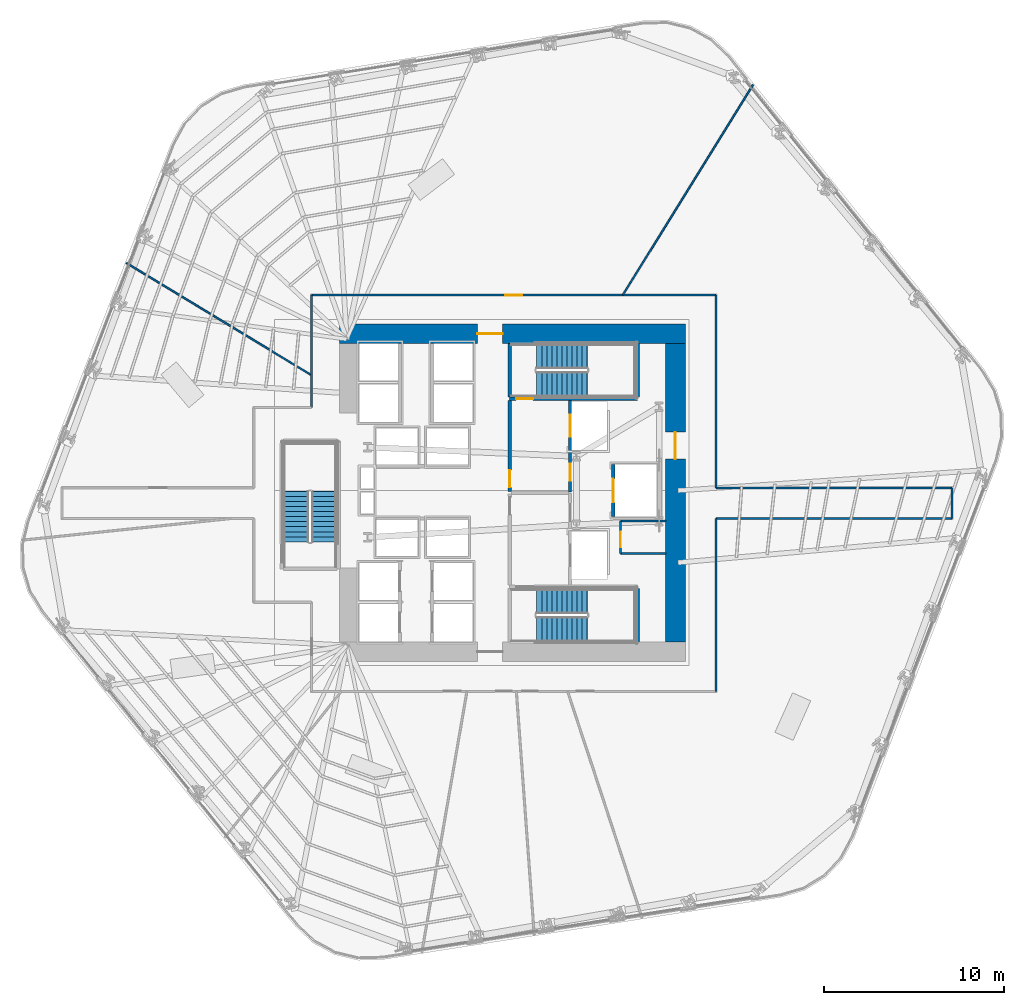
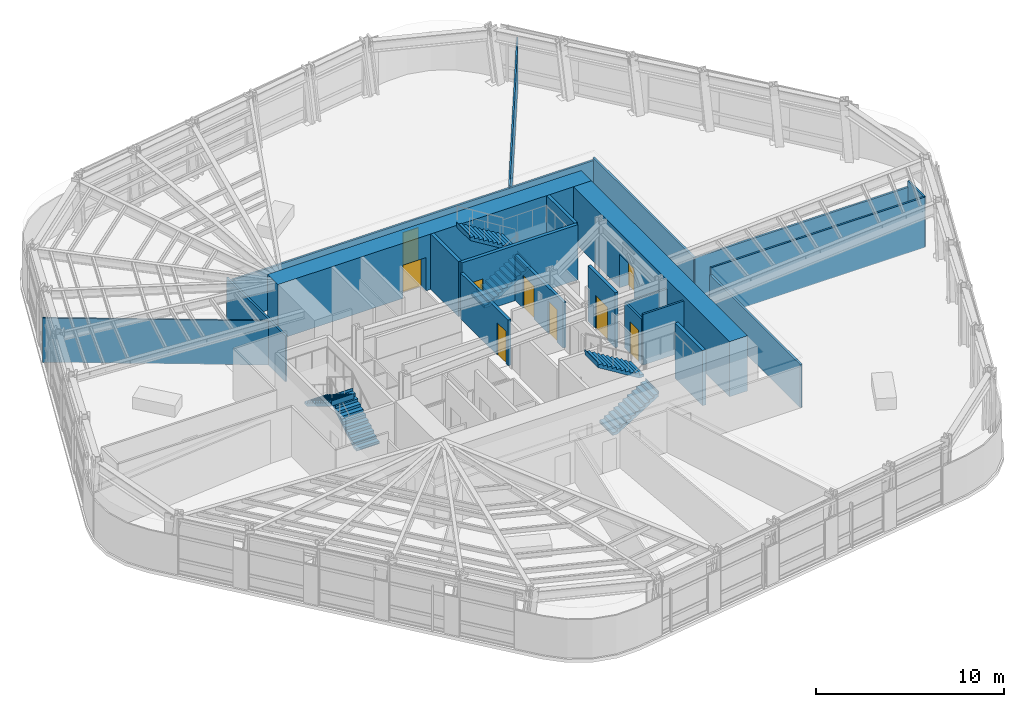
# One storey, part 9 of 16: 21 walls, 9 doors, 6 stair flights, 9 openings, 3 elements without a shape of their own.
"""IFC4 building model written with IfcOpenShell, lengths in metres."""

from ifc_helpers import new_model, si_unit, direction, frame, frame_2d, origin, place, context, subcontext, project, spatial, polyline, rectangle, outline, extrude, material, layer, layer_set, type_object, element, fill, aggregate, save


model = new_model("IFC4")

# Units and contexts
model_context = context("Model", 3, precision=1e-05, world=origin(), true_north=direction((0.0, 1.0)))
body_context = subcontext(model_context, "Body", "Model", "MODEL_VIEW")
ifc_project = project(units=[si_unit("LENGTHUNIT", "METRE"), si_unit("AREAUNIT", "SQUARE_METRE"), si_unit("VOLUMEUNIT", "CUBIC_METRE"), si_unit("PLANEANGLEUNIT", "RADIAN"), si_unit("MASSUNIT", "GRAM", prefix="KILO")], contexts=[model_context])

# Site, building, storey
site_placement = place(None, origin())
site = spatial("IfcSite", under=ifc_project, at=site_placement, CompositionType="ELEMENT")
building_placement = place(site_placement, origin())
building = spatial("IfcBuilding", under=site, at=building_placement, Name="Valkerne Bourse Tower", CompositionType="ELEMENT")
storey_placement = place(building_placement, frame((0.0, 0.0, 62.0)))
storey = spatial("IfcBuildingStorey", under=building, at=storey_placement, Name="L15", CompositionType="ELEMENT", Elevation=62.0)

# Wall, opening, door
ifc_material_1 = material(Name="Concrete C70/85", Category="concrete")
ifc_layer_1 = layer(ifc_material_1, 1.10009765625)
ifc_layer_set_1 = layer_set([ifc_layer_1], Name="Concrete C70/85")
wall_type_1 = type_object("IfcWallType", Name="W-CORE-1100", PredefinedType="SHEAR", material=ifc_layer_set_1)
wall_1_placement = place(storey_placement, frame((37.199951171875, 35.699951171875, 0.0), z_axis=(0.0, 0.0, 1.0), x_axis=(1.0, 0.0, 0.0)))
wall_1 = element("IfcWall", 1, at=wall_1_placement, inside=storey, type_object=wall_type_1, Name="L15 Core Shear Wall NORTH", PredefinedType="SHEAR", context=body_context, shape_type="SweptSolid", body=[
    extrude(rectangle(XDim=19.199951171875, YDim=1.10009765625, at=frame_2d((9.60009765625, 0.0))), origin(), (0.0, 0.0, 1.0), 3.580078125),
])
opening_1_placement = place(wall_1_placement, frame((7.64990234375, 0.0, 0.0)))
opening_1 = element("IfcOpeningElement", 2, at=opening_1_placement, cuts=wall_1, Name="Opening D-PL-1400", PredefinedType="OPENING", context=body_context, shape_type="SweptSolid", body=[
    extrude(rectangle(XDim=1.39990234375, YDim=2.14990234375, at=frame_2d((0.699951171875, 1.074951171875))), frame((0.0, 0.56005859375, 0.0), z_axis=(0.0, -1.0, 0.0), x_axis=(1.0, 0.0, 0.0)), (0.0, 0.0, 1.0), 1.1201171875),
])
ifc_material_2 = material(Name="Galvanised Painted Steel", Category="steel")
door_type_1 = type_object("IfcDoorType", Name="DR-PLT-1400", OperationType="DOUBLE_DOOR_SINGLE_SWING", PredefinedType="DOOR", material=ifc_material_2)
door_1_placement = place(opening_1_placement, origin())
door_1 = element("IfcDoor", 3, at=door_1_placement, inside=storey, type_object=door_type_1, Name="L15 North Passenger Lift Hall Fire Door", OperationType="DOUBLE_DOOR_SINGLE_SWING", OverallHeight=2.14990234375, OverallWidth=1.39990234375, PredefinedType="DOOR", context=body_context, shape_type="SweptSolid", body=[
    extrude(rectangle(XDim=1.39990234375, YDim=2.14990234375, at=frame_2d((0.699951171875, 1.074951171875))), frame((0.0, 0.02490234375, 0.0), z_axis=(0.0, -1.0, 0.0), x_axis=(1.0, 0.0, 0.0)), (0.0, 0.0, 1.0), 0.050048828125),
])
fill(opening_1, door_1)

wall_2_placement = place(storey_placement, frame((55.85009765625, 18.60009765625, 0.0), z_axis=(0.0, 0.0, 1.0), x_axis=(0.0, 1.0, 0.0)))
wall_2 = element("IfcWall", 4, at=wall_2_placement, inside=storey, type_object=wall_type_1, Name="L15 Core Shear Wall EAST", PredefinedType="SHEAR", context=body_context, shape_type="SweptSolid", body=[
    extrude(rectangle(XDim=16.5498046875, YDim=1.10009765625, at=frame_2d((8.27490234375, 0.0))), origin(), (0.0, 0.0, 1.0), 3.580078125),
])
opening_2_placement = place(wall_2_placement, frame((10.14990234375, 0.0, 0.0)))
opening_2 = element("IfcOpeningElement", 5, at=opening_2_placement, cuts=wall_2, Name="Opening D-CR-1500", PredefinedType="OPENING", context=body_context, shape_type="SweptSolid", body=[
    extrude(rectangle(XDim=1.5, YDim=2.14990234375, at=frame_2d((0.75, 1.074951171875))), frame((0.0, 0.56005859375, 0.0), z_axis=(0.0, -1.0, 0.0), x_axis=(1.0, 0.0, 0.0)), (0.0, 0.0, 1.0), 1.1201171875),
])
door_type_2 = type_object("IfcDoorType", Name="DR-CORR-1500", OperationType="DOUBLE_DOOR_SINGLE_SWING", PredefinedType="DOOR", material=ifc_material_2)
door_2_placement = place(opening_2_placement, origin())
door_2 = element("IfcDoor", 6, at=door_2_placement, inside=storey, type_object=door_type_2, Name="L15 East Core Service Lobby Fire Door", OperationType="DOUBLE_DOOR_SINGLE_SWING", OverallHeight=2.14990234375, OverallWidth=1.5, PredefinedType="DOOR", context=body_context, shape_type="SweptSolid", body=[
    extrude(rectangle(XDim=1.5, YDim=2.14990234375, at=frame_2d((0.75, 1.074951171875))), frame((0.0, 0.02490234375, 0.0), z_axis=(0.0, -1.0, 0.0), x_axis=(1.0, 0.0, 0.0)), (0.0, 0.0, 1.0), 0.050048828125),
])
fill(opening_2, door_2)

ifc_material_3 = material(Name="Gypsum Board Steel-Stud Partition", Category="steel")
ifc_layer_2 = layer(ifc_material_3, 0.117919921875)
ifc_layer_set_2 = layer_set([ifc_layer_2], Name="Gypsum Board Steel-Stud Partition")
wall_type_2 = type_object("IfcWallType", Name="W-CORR-140", PredefinedType="PARTITIONING", material=ifc_layer_set_2)
wall_3_placement = place(storey_placement, frame((52.800048828125, 23.5, 0.0), z_axis=(0.0, 0.0, 1.0), x_axis=(0.0, 1.0, 0.0)))
wall_3 = element("IfcWall", 7, at=wall_3_placement, inside=storey, type_object=wall_type_2, Name="L15 Core SE North-Bay West Wall", PredefinedType="PARTITIONING", context=body_context, shape_type="SweptSolid", body=[
    extrude(rectangle(XDim=1.800048828125, YDim=0.117919921875, at=frame_2d((0.89990234375, 0.0))), origin(), (0.0, 0.0, 1.0), 2.957763671875),
])
opening_3_placement = place(wall_3_placement, frame((0.35009765625, 0.0, 0.0)))
opening_3 = element("IfcOpeningElement", 8, at=opening_3_placement, cuts=wall_3, Name="Opening D-WC-900", PredefinedType="OPENING", context=body_context, shape_type="SweptSolid", body=[
    extrude(rectangle(XDim=0.860107421875, YDim=2.050048828125, at=frame_2d((0.43017578125, 1.02490234375))), frame((0.0, 0.06884765625, 0.0), z_axis=(0.0, -1.0, 0.0), x_axis=(1.0, 0.0, 0.0)), (0.0, 0.0, 1.0), 0.137939453125),
])
ifc_material_4 = material(Name="Architectural White Oak Timber", Category="wood")
door_type_3 = type_object("IfcDoorType", Name="DR-WC-900", OperationType="NOTDEFINED", PredefinedType="DOOR", material=ifc_material_4)
door_3_placement = place(opening_3_placement, origin())
door_3 = element("IfcDoor", 9, at=door_3_placement, inside=storey, type_object=door_type_3, Name="L15 Telecom Closet Door", OperationType="SINGLE_SWING_RIGHT", OverallHeight=2.050048828125, OverallWidth=0.860107421875, PredefinedType="DOOR", context=body_context, shape_type="SweptSolid", body=[
    extrude(rectangle(XDim=0.860107421875, YDim=2.050048828125, at=frame_2d((0.43017578125, 1.02490234375))), frame((0.0, 0.02490234375, 0.0), z_axis=(0.0, -1.0, 0.0), x_axis=(1.0, 0.0, 0.0)), (0.0, 0.0, 1.0), 0.050048828125),
])
fill(opening_3, door_3)

# Walls
wall_4_placement = place(storey_placement, frame((52.800048828125, 23.5, 0.0), z_axis=(0.0, 0.0, 1.0), x_axis=(1.0, 0.0, 0.0)))
element("IfcWall", 10, at=wall_4_placement, inside=storey, type_object=wall_type_2, Name="L15 Core SE North-Bay South Wall", PredefinedType="PARTITIONING", context=body_context, shape_type="SweptSolid", body=[
    extrude(rectangle(XDim=2.52001953125, YDim=0.117919921875, at=frame_2d((1.260009765625, 0.0))), origin(), (0.0, 0.0, 1.0), 3.280029296875),
])
wall_5_placement = place(storey_placement, frame((52.800048828125, 25.300048828125, 0.0), z_axis=(0.0, 0.0, 1.0), x_axis=(1.0, 0.0, 0.0)))
element("IfcWall", 11, at=wall_5_placement, inside=storey, type_object=wall_type_2, Name="L15 Core SE North-Bay North Wall", PredefinedType="PARTITIONING", context=body_context, shape_type="SweptSolid", body=[
    extrude(rectangle(XDim=2.52001953125, YDim=0.117919921875, at=frame_2d((1.260009765625, 0.0))), origin(), (0.0, 0.0, 1.0), 2.957763671875),
])
wall_6_placement = place(storey_placement, frame((58.10009765625, 27.14990234375, 0.0), z_axis=(0.0, 0.0, 1.0), x_axis=(1.0, 0.0, 0.0)))
element("IfcWall", 12, at=wall_6_placement, inside=storey, type_object=wall_type_2, Name="L15 Corridor Enclosure Wall", PredefinedType="PARTITIONING", context=body_context, shape_type="SweptSolid", body=[
    extrude(rectangle(XDim=13.099853515625, YDim=0.117919921875, at=frame_2d((6.5498046875, 0.0))), origin(), (0.0, 0.0, 1.0), 2.876708984375),
])
wall_7_placement = place(storey_placement, frame((71.199951171875, 27.14990234375, 0.0), z_axis=(0.0, 0.0, 1.0), x_axis=(0.0, -1.0, 0.0)))
element("IfcWall", 13, at=wall_7_placement, inside=storey, type_object=wall_type_2, Name="L15 Corridor Enclosure Wall", PredefinedType="PARTITIONING", context=body_context, shape_type="SweptSolid", body=[
    extrude(rectangle(XDim=1.699951171875, YDim=0.117919921875, at=frame_2d((0.85009765625, 0.0))), origin(), (0.0, 0.0, 1.0), 3.260009765625),
])
wall_8_placement = place(storey_placement, frame((71.199951171875, 25.449951171875, 0.0), z_axis=(0.0, 0.0, 1.0), x_axis=(-1.0, 0.0, 0.0)))
element("IfcWall", 14, at=wall_8_placement, inside=storey, type_object=wall_type_2, Name="L15 Corridor Enclosure Wall", PredefinedType="PARTITIONING", context=body_context, shape_type="SweptSolid", body=[
    extrude(rectangle(XDim=13.099853515625, YDim=0.117919921875, at=frame_2d((6.5498046875, 0.0))), origin(), (0.0, 0.0, 1.0), 3.260009765625),
])
wall_9_placement = place(storey_placement, frame((58.10009765625, 25.449951171875, 0.0), z_axis=(0.0, 0.0, 1.0), x_axis=(0.0, -1.0, 0.0)))
element("IfcWall", 15, at=wall_9_placement, inside=storey, type_object=wall_type_2, Name="L15 Corridor Enclosure Wall", PredefinedType="PARTITIONING", context=body_context, shape_type="SweptSolid", body=[
    extrude(rectangle(XDim=9.599853515625, YDim=0.117919921875, at=frame_2d((4.7998046875, 0.0))), origin(), (0.0, 0.0, 1.0), 2.80029296875),
])
wall_10_placement = place(storey_placement, frame((35.64990234375, 31.60009765625, 0.0), z_axis=(0.0, 0.0, 1.0), x_axis=(0.0, 1.0, 0.0)))
element("IfcWall", 16, at=wall_10_placement, inside=storey, type_object=wall_type_2, Name="L15 Corridor Enclosure Wall", PredefinedType="PARTITIONING", context=body_context, shape_type="SweptSolid", body=[
    extrude(rectangle(XDim=6.25, YDim=0.117919921875, at=frame_2d((3.125, 0.0))), origin(), (0.0, 0.0, 1.0), 2.962890625),
])

# Wall, opening, door
wall_11_placement = place(storey_placement, frame((35.64990234375, 37.85009765625, 0.0), z_axis=(0.0, 0.0, 1.0), x_axis=(1.0, 0.0, 0.0)))
wall_11 = element("IfcWall", 17, at=wall_11_placement, inside=storey, type_object=wall_type_2, Name="L15 Corridor Enclosure Wall", PredefinedType="PARTITIONING", context=body_context, shape_type="SweptSolid", body=[
    extrude(rectangle(XDim=22.4501953125, YDim=0.117919921875, at=frame_2d((11.22509765625, 0.0))), origin(), (0.0, 0.0, 1.0), 2.711669921875),
])
opening_4_placement = place(wall_11_placement, frame((10.75, 0.0, 0.0)))
opening_4 = element("IfcOpeningElement", 18, at=opening_4_placement, cuts=wall_11, Name="Opening D-OF-950", PredefinedType="OPENING", context=body_context, shape_type="SweptSolid", body=[
    extrude(rectangle(XDim=0.949951171875, YDim=2.10009765625, at=frame_2d((0.47509765625, 1.050048828125))), frame((0.0, 0.06884765625, 0.0), z_axis=(0.0, -1.0, 0.0), x_axis=(1.0, 0.0, 0.0)), (0.0, 0.0, 1.0), 0.137939453125),
])
door_type_4 = type_object("IfcDoorType", Name="DR-OFF-950", OperationType="NOTDEFINED", PredefinedType="DOOR", material=ifc_material_4)
door_4_placement = place(opening_4_placement, origin())
door_4 = element("IfcDoor", 19, at=door_4_placement, inside=storey, type_object=door_type_4, Name="L15 L15 VIP Client Concierge Reception 6 Door", OperationType="SINGLE_SWING_LEFT", OverallHeight=2.10009765625, OverallWidth=0.949951171875, PredefinedType="DOOR", context=body_context, shape_type="SweptSolid", body=[
    extrude(rectangle(XDim=0.949951171875, YDim=2.10009765625, at=frame_2d((0.47509765625, 1.050048828125))), frame((0.0, 0.02490234375, 0.0), z_axis=(0.0, -1.0, 0.0), x_axis=(1.0, 0.0, 0.0)), (0.0, 0.0, 1.0), 0.050048828125),
])
fill(opening_4, door_4)

# Wall
wall_12_placement = place(storey_placement, frame((58.10009765625, 37.85009765625, 0.0), z_axis=(0.0, 0.0, 1.0), x_axis=(0.0, -1.0, 0.0)))
element("IfcWall", 20, at=wall_12_placement, inside=storey, type_object=wall_type_2, Name="L15 Corridor Enclosure Wall", PredefinedType="PARTITIONING", context=body_context, shape_type="SweptSolid", body=[
    extrude(rectangle(XDim=10.7001953125, YDim=0.117919921875, at=frame_2d((5.35009765625, 0.0))), origin(), (0.0, 0.0, 1.0), 2.876708984375),
])

# Wall, opening, door
ifc_material_5 = material(Name="Gypsum Fire-Rated Shaftwall", Category="gypsum")
ifc_layer_3 = layer(ifc_material_5, 0.179931640625)
ifc_layer_set_3 = layer_set([ifc_layer_3], Name="Gypsum Fire-Rated Shaftwall")
wall_type_3 = type_object("IfcWallType", Name="W-FSAE-180", PredefinedType="PARTITIONING", material=ifc_layer_set_3)
wall_13_placement = place(storey_placement, frame((46.64990234375, 26.9599609375, 0.0), z_axis=(0.0, 0.0, 1.0), x_axis=(0.0, 1.0, 0.0)))
wall_13 = element("IfcWall", 21, at=wall_13_placement, inside=storey, type_object=wall_type_3, Name="L15 FSAE-2 Lobby West Fire Wall", PredefinedType="PARTITIONING", context=body_context, shape_type="SweptSolid", body=[
    extrude(rectangle(XDim=5.0400390625, YDim=0.179931640625, at=frame_2d((2.52001953125, 0.0))), origin(), (0.0, 0.0, 1.0), 2.957763671875),
])
opening_5_placement = place(wall_13_placement, frame((0.219970703125, 0.0, 0.0)))
opening_5 = element("IfcOpeningElement", 22, at=opening_5_placement, cuts=wall_13, Name="Opening D-FS-950", PredefinedType="OPENING", context=body_context, shape_type="SweptSolid", body=[
    extrude(rectangle(XDim=0.949951171875, YDim=2.10009765625, at=frame_2d((0.47509765625, 1.050048828125))), frame((0.0, 0.099853515625, 0.0), z_axis=(0.0, -1.0, 0.0), x_axis=(1.0, 0.0, 0.0)), (0.0, 0.0, 1.0), 0.199951171875),
])
door_type_5 = type_object("IfcDoorType", Name="DR-FSAE-950", OperationType="NOTDEFINED", PredefinedType="DOOR", material=ifc_material_2)
door_5_placement = place(opening_5_placement, origin())
door_5 = element("IfcDoor", 23, at=door_5_placement, inside=storey, type_object=door_type_5, Name="L15 FSAE-2 Hall Link Fire Door", OperationType="SINGLE_SWING_RIGHT", OverallHeight=2.10009765625, OverallWidth=0.949951171875, PredefinedType="DOOR", context=body_context, shape_type="SweptSolid", body=[
    extrude(rectangle(XDim=0.949951171875, YDim=2.10009765625, at=frame_2d((0.47509765625, 1.050048828125))), frame((0.0, 0.02490234375, 0.0), z_axis=(0.0, -1.0, 0.0), x_axis=(1.0, 0.0, 0.0)), (0.0, 0.0, 1.0), 0.050048828125),
])
fill(opening_5, door_5)

# Wall, openings, doors
wall_14_placement = place(storey_placement, frame((50.0, 26.919921875, 0.0), z_axis=(0.0, 0.0, 1.0), x_axis=(0.0, 1.0, 0.0)))
wall_14 = element("IfcWall", 24, at=wall_14_placement, inside=storey, type_object=wall_type_3, Name="L15 FSAE-2 Lobby & Shaft Front Wall", PredefinedType="PARTITIONING", context=body_context, shape_type="SweptSolid", body=[
    extrude(rectangle(XDim=5.080078125, YDim=0.179931640625, at=frame_2d((2.5400390625, 0.0))), origin(), (0.0, 0.0, 1.0), 2.957763671875),
])
opening_6_placement = place(wall_14_placement, frame((3.080078125, 0.0, 0.0)))
opening_6 = element("IfcOpeningElement", 25, at=opening_6_placement, cuts=wall_14, Name="Opening LD-1200", PredefinedType="OPENING", context=body_context, shape_type="SweptSolid", body=[
    extrude(rectangle(XDim=1.199951171875, YDim=2.14990234375, at=frame_2d((0.60009765625, 1.074951171875))), frame((0.0, 0.099853515625, 0.0), z_axis=(0.0, -1.0, 0.0), x_axis=(1.0, 0.0, 0.0)), (0.0, 0.0, 1.0), 0.199951171875),
])
opening_7_placement = place(wall_14_placement, frame((0.6298828125, 0.0, 0.0)))
opening_7 = element("IfcOpeningElement", 26, at=opening_7_placement, cuts=wall_14, Name="Opening D-FS-950", PredefinedType="OPENING", context=body_context, shape_type="SweptSolid", body=[
    extrude(rectangle(XDim=0.949951171875, YDim=2.10009765625, at=frame_2d((0.47509765625, 1.050048828125))), frame((0.0, 0.099853515625, 0.0), z_axis=(0.0, -1.0, 0.0), x_axis=(1.0, 0.0, 0.0)), (0.0, 0.0, 1.0), 0.199951171875),
])
door_6_placement = place(opening_7_placement, origin())
door_6 = element("IfcDoor", 27, at=door_6_placement, inside=storey, type_object=door_type_5, Name="L15 FSAE-2 Lobby Corridor Fire Door", OperationType="SINGLE_SWING_RIGHT", OverallHeight=2.10009765625, OverallWidth=0.949951171875, PredefinedType="DOOR", context=body_context, shape_type="SweptSolid", body=[
    extrude(rectangle(XDim=0.949951171875, YDim=2.10009765625, at=frame_2d((0.47509765625, 1.050048828125))), frame((0.0, 0.02490234375, 0.0), z_axis=(0.0, -1.0, 0.0), x_axis=(1.0, 0.0, 0.0)), (0.0, 0.0, 1.0), 0.050048828125),
])
fill(opening_7, door_6)
ifc_material_6 = material(Name="Stainless Steel AISI 316", Category="steel")
door_type_6 = type_object("IfcDoorType", Name="DR-LIFT-1200", OperationType="DOUBLE_DOOR_SLIDING", PredefinedType="DOOR", material=ifc_material_6)
door_7_placement = place(opening_6_placement, origin())
door_7 = element("IfcDoor", 28, at=door_7_placement, inside=storey, type_object=door_type_6, Name="L15 FSAE-2 Firefighting Lift Landing Door", OperationType="DOUBLE_DOOR_SLIDING", OverallHeight=2.14990234375, OverallWidth=1.199951171875, PredefinedType="DOOR", context=body_context, shape_type="SweptSolid", body=[
    extrude(rectangle(XDim=1.199951171875, YDim=2.14990234375, at=frame_2d((0.60009765625, 1.074951171875))), frame((0.0, 0.02490234375, 0.0), z_axis=(0.0, -1.0, 0.0), x_axis=(1.0, 0.0, 0.0)), (0.0, 0.0, 1.0), 0.050048828125),
])
fill(opening_6, door_7)

# Wall, opening, door
ifc_material_7 = material(Name="CMU Blockwork Masonry 200mm", Category="masonry")
ifc_layer_4 = layer(ifc_material_7, 0.179931640625)
ifc_layer_set_4 = layer_set([ifc_layer_4], Name="CMU Blockwork Masonry 200mm")
wall_type_4 = type_object("IfcWallType", Name="W-LFT-180", PredefinedType="SOLIDWALL", material=ifc_layer_set_4)
wall_15_placement = place(storey_placement, frame((52.39990234375, 25.550048828125, 0.0), z_axis=(0.0, 0.0, 1.0), x_axis=(0.0, 1.0, 0.0)))
wall_15 = element("IfcWall", 29, at=wall_15_placement, inside=storey, type_object=wall_type_4, Name="L15 Service Lift SV-1 Front Wall", PredefinedType="SOLIDWALL", context=body_context, shape_type="SweptSolid", body=[
    extrude(rectangle(XDim=2.89990234375, YDim=0.179931640625, at=frame_2d((1.449951171875, 0.0))), origin(), (0.0, 0.0, 1.0), 3.580078125),
])
opening_8_placement = place(wall_15_placement, frame((0.800048828125, 0.0, 0.0)))
opening_8 = element("IfcOpeningElement", 30, at=opening_8_placement, cuts=wall_15, Name="Opening LD-1300", PredefinedType="OPENING", context=body_context, shape_type="SweptSolid", body=[
    extrude(rectangle(XDim=1.300048828125, YDim=2.14990234375, at=frame_2d((0.64990234375, 1.074951171875))), frame((0.0, 0.099853515625, 0.0), z_axis=(0.0, -1.0, 0.0), x_axis=(1.0, 0.0, 0.0)), (0.0, 0.0, 1.0), 0.199951171875),
])
door_type_7 = type_object("IfcDoorType", Name="DR-LIFT-1300", OperationType="DOUBLE_DOOR_SLIDING", PredefinedType="DOOR", material=ifc_material_6)
door_8_placement = place(opening_8_placement, origin())
door_8 = element("IfcDoor", 31, at=door_8_placement, inside=storey, type_object=door_type_7, Name="L15 Service Lift SV-1 Landing Door", OperationType="DOUBLE_DOOR_SLIDING", OverallHeight=2.14990234375, OverallWidth=1.300048828125, PredefinedType="DOOR", context=body_context, shape_type="SweptSolid", body=[
    extrude(rectangle(XDim=1.300048828125, YDim=2.14990234375, at=frame_2d((0.64990234375, 1.074951171875))), frame((0.0, 0.02490234375, 0.0), z_axis=(0.0, -1.0, 0.0), x_axis=(1.0, 0.0, 0.0)), (0.0, 0.0, 1.0), 0.050048828125),
])
fill(opening_8, door_8)

# Walls
ifc_layer_5 = layer(ifc_material_3, 0.092041015625)
ifc_layer_set_5 = layer_set([ifc_layer_5], Name="Gypsum Board Steel-Stud Partition")
wall_type_5 = type_object("IfcWallType", Name="W-PART-115", PredefinedType="PARTITIONING", material=ifc_layer_set_5)
wall_16_placement = place(storey_placement, frame((52.9267578125, 37.85498046875, 0.0), z_axis=(0.0, 0.0, 1.0), x_axis=(0.526744994886, 0.850023358716, 0.0)))
element("IfcWall", 32, at=wall_16_placement, inside=storey, type_object=wall_type_5, Name="L15 Suite Partition P04", PredefinedType="PARTITIONING", context=body_context, shape_type="SweptSolid", body=[
    extrude(rectangle(XDim=13.734130859375, YDim=0.092041015625, at=frame_2d((6.8671875, 0.0))), origin(), (0.0, 0.0, 1.0), 2.864013671875),
])
wall_17_placement = place(storey_placement, frame((35.64501953125, 33.402587890625, 0.0), z_axis=(0.0, 0.0, 1.0), x_axis=(-0.854999172587, 0.518629361756, 0.0)))
element("IfcWall", 33, at=wall_17_placement, inside=storey, type_object=wall_type_5, Name="L15 Suite Partition P05", PredefinedType="PARTITIONING", context=body_context, shape_type="SweptSolid", body=[
    extrude(rectangle(XDim=12.020751953125, YDim=0.092041015625, at=frame_2d((6.01025390625, 0.0))), origin(), (0.0, 0.0, 1.0), 2.864013671875),
])
ifc_material_8 = material(Name="Concrete C40/50", Category="concrete")
ifc_layer_6 = layer(ifc_material_8, 0.199951171875)
ifc_layer_set_6 = layer_set([ifc_layer_6], Name="Concrete C40/50")
wall_type_6 = type_object("IfcWallType", Name="W-SHF-200", PredefinedType="SHEAR", material=ifc_layer_set_6)
wall_18_placement = place(storey_placement, frame((53.75, 18.60009765625, 0.0), z_axis=(0.0, 0.0, 1.0), x_axis=(0.0, 1.0, 0.0)))
element("IfcWall", 34, at=wall_18_placement, inside=storey, type_object=wall_type_6, Name="L15 Exit Stair ST-1 Structural Shaft Wall East", PredefinedType="SHEAR", context=body_context, shape_type="SweptSolid", body=[
    extrude(rectangle(XDim=2.949951171875, YDim=0.199951171875, at=frame_2d((1.47509765625, 0.0))), origin(), (0.0, 0.0, 1.0), 3.580078125),
])

# Wall, opening, door
wall_19_placement = place(storey_placement, frame((46.64990234375, 32.10009765625, 0.0), z_axis=(0.0, 0.0, 1.0), x_axis=(1.0, 0.0, 0.0)))
wall_19 = element("IfcWall", 35, at=wall_19_placement, inside=storey, type_object=wall_type_6, Name="L15 Exit Stair ST-2 Structural Shaft Wall South", PredefinedType="SHEAR", context=body_context, shape_type="SweptSolid", body=[
    extrude(rectangle(XDim=7.10009765625, YDim=0.199951171875, at=frame_2d((3.550048828125, 0.0))), origin(), (0.0, 0.0, 1.0), 3.580078125),
])
opening_9_placement = place(wall_19_placement, frame((0.35009765625, 0.0, 0.0)))
opening_9 = element("IfcOpeningElement", 36, at=opening_9_placement, cuts=wall_19, Name="Opening D-ST-950", PredefinedType="OPENING", context=body_context, shape_type="SweptSolid", body=[
    extrude(rectangle(XDim=0.949951171875, YDim=2.10009765625, at=frame_2d((0.47509765625, 1.050048828125))), frame((0.0, 0.10986328125, 0.0), z_axis=(0.0, -1.0, 0.0), x_axis=(1.0, 0.0, 0.0)), (0.0, 0.0, 1.0), 0.219970703125),
])
door_type_8 = type_object("IfcDoorType", Name="DR-STAIR-950", OperationType="NOTDEFINED", PredefinedType="DOOR", material=ifc_material_2)
door_9_placement = place(opening_9_placement, origin())
door_9 = element("IfcDoor", 37, at=door_9_placement, inside=storey, type_object=door_type_8, Name="L15 Exit Stair ST-2 Door", OperationType="SINGLE_SWING_RIGHT", OverallHeight=2.10009765625, OverallWidth=0.949951171875, PredefinedType="DOOR", context=body_context, shape_type="SweptSolid", body=[
    extrude(rectangle(XDim=0.949951171875, YDim=2.10009765625, at=frame_2d((0.47509765625, 1.050048828125))), frame((0.0, 0.02490234375, 0.0), z_axis=(0.0, -1.0, 0.0), x_axis=(1.0, 0.0, 0.0)), (0.0, 0.0, 1.0), 0.050048828125),
])
fill(opening_9, door_9)

# Walls
for number, where, z_axis, x_axis, name in (
    (38, (46.64990234375, 32.199951171875, 0.0), (0.0, 0.0, 1.0), (0.0, 1.0, 0.0), "L15 Exit Stair ST-2 Structural Shaft Wall West"),
    (39, (53.75, 32.199951171875, 0.0), (0.0, 0.0, 1.0), (0.0, 1.0, 0.0), "L15 Exit Stair ST-2 Structural Shaft Wall East"),
):
    element("IfcWall", number, at=place(storey_placement, frame(where, z_axis=z_axis, x_axis=x_axis)), inside=storey, type_object=wall_type_6, Name=name, PredefinedType="SHEAR", context=body_context, shape_type="SweptSolid", body=[
        extrude(rectangle(XDim=2.949951171875, YDim=0.199951171875, at=frame_2d((1.47509765625, 0.0))), origin(), (0.0, 0.0, 1.0), 3.580078125),
    ])

# Stair, stair flights
stair_type = type_object("IfcStairType", Name="ST-CORE-1400", PredefinedType="HALF_TURN_STAIR", material=ifc_material_8)
stair_1_placement = place(storey_placement, origin())
stair_1 = element("IfcStair", 40, at=stair_1_placement, inside=storey, type_object=stair_type, Name="L15 ST-1", PredefinedType="HALF_TURN_STAIR")
stair_flight_type = type_object("IfcStairFlightType", Name="STF-CORE-1400", PredefinedType="STRAIGHT", material=ifc_material_8)
stair_flight_1_placement = place(storey_placement, frame((48.14990234375, 19.300048828125, 0.0), z_axis=(0.0, 0.0, 1.0), x_axis=(1.0, 0.0, 0.0)))
stair_flight_1 = element("IfcStairFlight", 41, at=stair_flight_1_placement, type_object=stair_flight_type, Name="ST-1 flight 1", NumberOfRisers=11, NumberOfTreads=10, PredefinedType="STRAIGHT", RiserHeight=0.172727273, TreadLength=0.28, context=body_context, shape_type="SweptSolid", body=[
    extrude(outline(polyline([(-0.02001953125, 0.0), (-0.02001953125, 0.044921875), (0.0, 0.044921875), (0.0, 0.172607421875), (0.280029296875, 0.172607421875), (0.280029296875, 0.345458984375), (0.56005859375, 0.345458984375), (0.56005859375, 0.51806640625), (0.840087890625, 0.51806640625), (0.840087890625, 0.69091796875), (1.1201171875, 0.69091796875), (1.1201171875, 0.863525390625), (1.39990234375, 0.863525390625), (1.39990234375, 1.036376953125), (1.679931640625, 1.036376953125), (1.679931640625, 1.208984375), (1.9599609375, 1.208984375), (1.9599609375, 1.3818359375), (2.239990234375, 1.3818359375), (2.239990234375, 1.554443359375), (2.52001953125, 1.554443359375), (2.52001953125, 1.727294921875), (2.800048828125, 1.727294921875), (2.800048828125, 1.89990234375), (2.820068359375, 1.89990234375), (2.820068359375, 1.780029296875), (2.800048828125, 1.551025390625), (0.285400390625, 0.0), (-0.02001953125, 0.0)])), frame((0.0, 0.699951171875, 0.0), z_axis=(0.0, -1.0, 0.0), x_axis=(1.0, 0.0, 0.0)), (0.0, 0.0, 1.0), 1.39990234375),
])
stair_flight_2_placement = place(storey_placement, frame((50.949951171875, 20.85009765625, 1.89990234375), z_axis=(0.0, 0.0, 1.0), x_axis=(-1.0, 0.0, 0.0)))
stair_flight_2 = element("IfcStairFlight", 42, at=stair_flight_2_placement, type_object=stair_flight_type, Name="ST-1 flight 2", NumberOfRisers=11, NumberOfTreads=10, PredefinedType="STRAIGHT", RiserHeight=0.172727273, TreadLength=0.28, context=body_context, shape_type="SweptSolid", body=[
    extrude(outline(polyline([(-0.02001953125, 0.0), (-0.02001953125, 0.044921875), (0.0, 0.044921875), (0.0, 0.172607421875), (0.280029296875, 0.172607421875), (0.280029296875, 0.345458984375), (0.56005859375, 0.345458984375), (0.56005859375, 0.51806640625), (0.840087890625, 0.51806640625), (0.840087890625, 0.69091796875), (1.1201171875, 0.69091796875), (1.1201171875, 0.863525390625), (1.39990234375, 0.863525390625), (1.39990234375, 1.036376953125), (1.679931640625, 1.036376953125), (1.679931640625, 1.208984375), (1.9599609375, 1.208984375), (1.9599609375, 1.3818359375), (2.239990234375, 1.3818359375), (2.239990234375, 1.554443359375), (2.52001953125, 1.554443359375), (2.52001953125, 1.727294921875), (2.800048828125, 1.727294921875), (2.800048828125, 1.89990234375), (2.820068359375, 1.89990234375), (2.820068359375, 1.780029296875), (2.800048828125, 1.551025390625), (0.285400390625, 0.0), (-0.02001953125, 0.0)])), frame((0.0, 0.699951171875, 0.0), z_axis=(0.0, -1.0, 0.0), x_axis=(1.0, 0.0, 0.0)), (0.0, 0.0, 1.0), 1.39990234375),
])
aggregate(stair_1, [stair_flight_1, stair_flight_2])

stair_2_placement = place(storey_placement, origin())
stair_2 = element("IfcStair", 43, at=stair_2_placement, inside=storey, type_object=stair_type, Name="L15 ST-2", PredefinedType="HALF_TURN_STAIR")
stair_flight_3_placement = place(storey_placement, frame((48.14990234375, 32.89990234375, 0.0), z_axis=(0.0, 0.0, 1.0), x_axis=(1.0, 0.0, 0.0)))
stair_flight_3 = element("IfcStairFlight", 44, at=stair_flight_3_placement, type_object=stair_flight_type, Name="ST-2 flight 1", NumberOfRisers=11, NumberOfTreads=10, PredefinedType="STRAIGHT", RiserHeight=0.172727273, TreadLength=0.28, context=body_context, shape_type="SweptSolid", body=[
    extrude(outline(polyline([(-0.02001953125, 0.0), (-0.02001953125, 0.044921875), (0.0, 0.044921875), (0.0, 0.172607421875), (0.280029296875, 0.172607421875), (0.280029296875, 0.345458984375), (0.56005859375, 0.345458984375), (0.56005859375, 0.51806640625), (0.840087890625, 0.51806640625), (0.840087890625, 0.69091796875), (1.1201171875, 0.69091796875), (1.1201171875, 0.863525390625), (1.39990234375, 0.863525390625), (1.39990234375, 1.036376953125), (1.679931640625, 1.036376953125), (1.679931640625, 1.208984375), (1.9599609375, 1.208984375), (1.9599609375, 1.3818359375), (2.239990234375, 1.3818359375), (2.239990234375, 1.554443359375), (2.52001953125, 1.554443359375), (2.52001953125, 1.727294921875), (2.800048828125, 1.727294921875), (2.800048828125, 1.89990234375), (2.820068359375, 1.89990234375), (2.820068359375, 1.780029296875), (2.800048828125, 1.551025390625), (0.285400390625, 0.0), (-0.02001953125, 0.0)])), frame((0.0, 0.699951171875, 0.0), z_axis=(0.0, -1.0, 0.0), x_axis=(1.0, 0.0, 0.0)), (0.0, 0.0, 1.0), 1.39990234375),
])
stair_flight_4_placement = place(storey_placement, frame((50.949951171875, 34.449951171875, 1.89990234375), z_axis=(0.0, 0.0, 1.0), x_axis=(-1.0, 0.0, 0.0)))
stair_flight_4 = element("IfcStairFlight", 45, at=stair_flight_4_placement, type_object=stair_flight_type, Name="ST-2 flight 2", NumberOfRisers=11, NumberOfTreads=10, PredefinedType="STRAIGHT", RiserHeight=0.172727273, TreadLength=0.28, context=body_context, shape_type="SweptSolid", body=[
    extrude(outline(polyline([(-0.02001953125, 0.0), (-0.02001953125, 0.044921875), (0.0, 0.044921875), (0.0, 0.172607421875), (0.280029296875, 0.172607421875), (0.280029296875, 0.345458984375), (0.56005859375, 0.345458984375), (0.56005859375, 0.51806640625), (0.840087890625, 0.51806640625), (0.840087890625, 0.69091796875), (1.1201171875, 0.69091796875), (1.1201171875, 0.863525390625), (1.39990234375, 0.863525390625), (1.39990234375, 1.036376953125), (1.679931640625, 1.036376953125), (1.679931640625, 1.208984375), (1.9599609375, 1.208984375), (1.9599609375, 1.3818359375), (2.239990234375, 1.3818359375), (2.239990234375, 1.554443359375), (2.52001953125, 1.554443359375), (2.52001953125, 1.727294921875), (2.800048828125, 1.727294921875), (2.800048828125, 1.89990234375), (2.820068359375, 1.89990234375), (2.820068359375, 1.780029296875), (2.800048828125, 1.551025390625), (0.285400390625, 0.0), (-0.02001953125, 0.0)])), frame((0.0, 0.699951171875, 0.0), z_axis=(0.0, -1.0, 0.0), x_axis=(1.0, 0.0, 0.0)), (0.0, 0.0, 1.0), 1.39990234375),
])
aggregate(stair_2, [stair_flight_3, stair_flight_4])

stair_3_placement = place(storey_placement, origin())
stair_3 = element("IfcStair", 46, at=stair_3_placement, inside=storey, type_object=stair_type, Name="L15 ST-3", PredefinedType="HALF_TURN_STAIR")
stair_flight_5_placement = place(storey_placement, frame((36.35009765625, 24.14990234375, 0.0), z_axis=(0.0, 0.0, 1.0), x_axis=(0.0, 1.0, 0.0)))
stair_flight_5 = element("IfcStairFlight", 47, at=stair_flight_5_placement, type_object=stair_flight_type, Name="ST-3 flight 1", NumberOfRisers=11, NumberOfTreads=10, PredefinedType="STRAIGHT", RiserHeight=0.172727273, TreadLength=0.28, context=body_context, shape_type="SweptSolid", body=[
    extrude(outline(polyline([(-0.02001953125, 0.0), (-0.02001953125, 0.044921875), (0.0, 0.044921875), (0.0, 0.172607421875), (0.280029296875, 0.172607421875), (0.280029296875, 0.345458984375), (0.56005859375, 0.345458984375), (0.56005859375, 0.51806640625), (0.840087890625, 0.51806640625), (0.840087890625, 0.69091796875), (1.1201171875, 0.69091796875), (1.1201171875, 0.863525390625), (1.39990234375, 0.863525390625), (1.39990234375, 1.036376953125), (1.679931640625, 1.036376953125), (1.679931640625, 1.208984375), (1.9599609375, 1.208984375), (1.9599609375, 1.3818359375), (2.239990234375, 1.3818359375), (2.239990234375, 1.554443359375), (2.52001953125, 1.554443359375), (2.52001953125, 1.727294921875), (2.800048828125, 1.727294921875), (2.800048828125, 1.89990234375), (2.820068359375, 1.89990234375), (2.820068359375, 1.780029296875), (2.800048828125, 1.551025390625), (0.285400390625, 0.0), (-0.02001953125, 0.0)])), frame((0.0, 0.699951171875, 0.0), z_axis=(0.0, -1.0, 0.0), x_axis=(1.0, 0.0, 0.0)), (0.0, 0.0, 1.0), 1.39990234375),
])
stair_flight_6_placement = place(storey_placement, frame((34.800048828125, 26.949951171875, 1.89990234375), z_axis=(0.0, 0.0, 1.0), x_axis=(0.0, -1.0, 0.0)))
stair_flight_6 = element("IfcStairFlight", 48, at=stair_flight_6_placement, type_object=stair_flight_type, Name="ST-3 flight 2", NumberOfRisers=11, NumberOfTreads=10, PredefinedType="STRAIGHT", RiserHeight=0.172727273, TreadLength=0.28, context=body_context, shape_type="SweptSolid", body=[
    extrude(outline(polyline([(-0.02001953125, 0.0), (-0.02001953125, 0.044921875), (0.0, 0.044921875), (0.0, 0.172607421875), (0.280029296875, 0.172607421875), (0.280029296875, 0.345458984375), (0.56005859375, 0.345458984375), (0.56005859375, 0.51806640625), (0.840087890625, 0.51806640625), (0.840087890625, 0.69091796875), (1.1201171875, 0.69091796875), (1.1201171875, 0.863525390625), (1.39990234375, 0.863525390625), (1.39990234375, 1.036376953125), (1.679931640625, 1.036376953125), (1.679931640625, 1.208984375), (1.9599609375, 1.208984375), (1.9599609375, 1.3818359375), (2.239990234375, 1.3818359375), (2.239990234375, 1.554443359375), (2.52001953125, 1.554443359375), (2.52001953125, 1.727294921875), (2.800048828125, 1.727294921875), (2.800048828125, 1.89990234375), (2.820068359375, 1.89990234375), (2.820068359375, 1.780029296875), (2.800048828125, 1.551025390625), (0.285400390625, 0.0), (-0.02001953125, 0.0)])), frame((0.0, 0.699951171875, 0.0), z_axis=(0.0, -1.0, 0.0), x_axis=(1.0, 0.0, 0.0)), (0.0, 0.0, 1.0), 1.39990234375),
])
aggregate(stair_3, [stair_flight_5, stair_flight_6])

save(model, "model.ifc")
